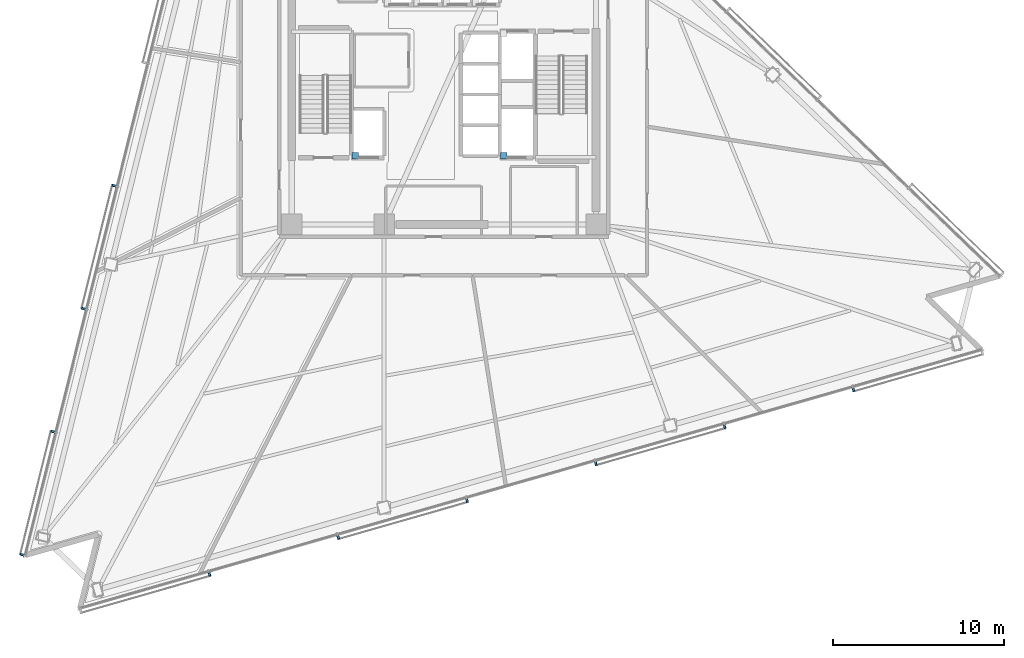
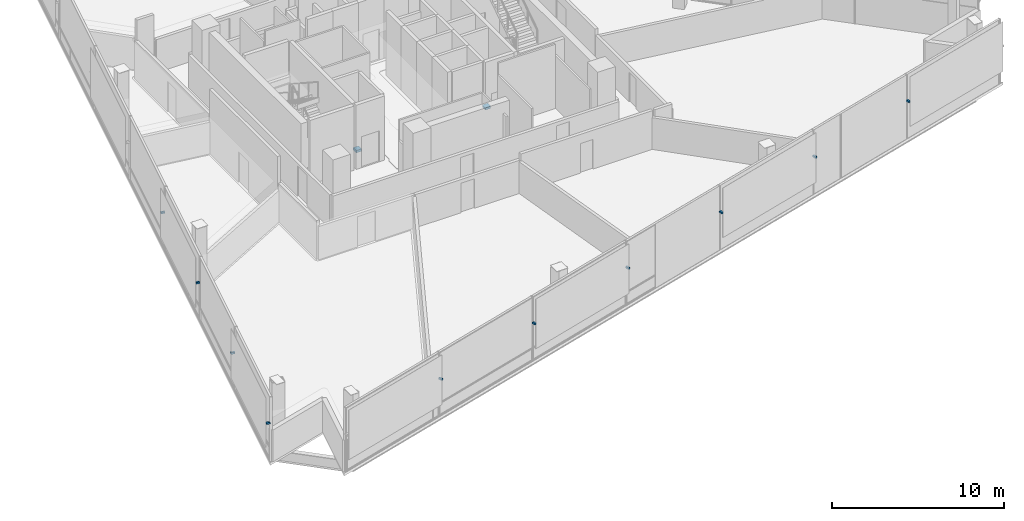
# One storey, part 12 of 18: 12 discrete accessories.
"""IFC4 building model written with IfcOpenShell, lengths in metres."""

from ifc_helpers import new_model, si_unit, direction, frame, origin, origin_2d, place, context, subcontext, project, spatial, rectangle, extrude, material, type_object, element, save


model = new_model("IFC4")

# Units and contexts
model_context = context("Model", 3, precision=1e-05, world=origin(), true_north=direction((0.0, 1.0)))
body_context = subcontext(model_context, "Body", "Model", "MODEL_VIEW")
ifc_project = project(units=[si_unit("LENGTHUNIT", "METRE"), si_unit("AREAUNIT", "SQUARE_METRE"), si_unit("VOLUMEUNIT", "CUBIC_METRE"), si_unit("PLANEANGLEUNIT", "RADIAN"), si_unit("MASSUNIT", "GRAM", prefix="KILO")], contexts=[model_context])

# Site, building, storey
site_placement = place(None, origin())
site = spatial("IfcSite", under=ifc_project, at=site_placement, CompositionType="ELEMENT")
building_placement = place(site_placement, origin())
building = spatial("IfcBuilding", under=site, at=building_placement, Name="Tharavind Bronze Gate", CompositionType="ELEMENT")
storey_placement = place(building_placement, frame((0.0, 0.0, 107.699951171875)))
storey = spatial("IfcBuildingStorey", under=building, at=storey_placement, Name="L27", CompositionType="ELEMENT", Elevation=107.699951171875)

# Discrete accessories
ifc_material_1 = material(Name="Galvanised Steel S355", Category="steel")
discrete_accessory_type_1 = type_object("IfcDiscreteAccessoryType", Name="LIFT GUIDE RAIL BRACKET", PredefinedType="BRACKET", material=ifc_material_1)
for number, where, z_axis, x_axis, name in (
    (1, (-5.179931640625, -3.580078125, 1.1201171875), (0.0, 0.0, 1.0), (1.0, 0.0, 0.0), "Lift FFL1 guide rail bracket at L27"),
    (2, (3.5, -3.580078125, 1.1201171875), (0.0, 0.0, 1.0), (1.0, 0.0, 0.0), "Lift SVL1 guide rail bracket at L27"),
):
    element("IfcDiscreteAccessory", number, at=place(storey_placement, frame(where, z_axis=z_axis, x_axis=x_axis)), inside=storey, type_object=discrete_accessory_type_1, Name=name, PredefinedType="BRACKET", context=body_context, shape_type="SweptSolid", body=[
        extrude(rectangle(XDim=0.360107421875, YDim=0.360107421875, at=origin_2d()), origin(), (0.0, 0.0, 1.0), 0.159912109375),
    ])
ifc_material_2 = material(Name="Stainless Steel 316", Category="steel")
discrete_accessory_type_2 = type_object("IfcDiscreteAccessoryType", Name="SOLAR SCREEN STANDOFF BRACKET", PredefinedType="BRACKET", material=ifc_material_2)
for number, where, z_axis, x_axis, name in (
    (3, (-19.282958984375, -5.338134765625, 2.669921875), (0.0, 0.0, 1.0), (-0.2419218956, -0.970295726276, 0.0), "CW-L27-S1 solar screen bracket 5.1"),
    (4, (-21.07666015625, -12.531982421875, 2.669921875), (0.0, 0.0, 1.0), (-0.2419218956, -0.970295726276, 0.0), "CW-L27-S1 solar screen bracket 5.2"),
    (5, (-22.870361328125, -19.72607421875, 2.669921875), (0.0, 0.0, 1.0), (-0.2419218956, -0.970295726276, 0.0), "CW-L27-S1 solar screen bracket 7.1"),
    (6, (-24.6640625, -26.920166015625, 2.669921875), (0.0, 0.0, 1.0), (-0.2419218956, -0.970295726276, 0.0), "CW-L27-S1 solar screen bracket 7.2"),
    (7, (-13.71240234375, -28.060546875, 2.669921875), (0.0, 0.0, 1.0), (0.961261695938, 0.275637355817, 0.0), "CW-L27-S2 solar screen bracket 1.2"),
    (8, (-6.178955078125, -25.900390625, 2.669921875), (0.0, 0.0, 1.0), (0.961261695938, 0.275637355817, 0.0), "CW-L27-S2 solar screen bracket 3.1"),
    (9, (1.3544921875, -23.740234375, 2.669921875), (0.0, 0.0, 1.0), (0.961261695938, 0.275637355817, 0.0), "CW-L27-S2 solar screen bracket 3.2"),
    (10, (8.887939453125, -21.580078125, 2.669921875), (0.0, 0.0, 1.0), (0.961261695938, 0.275637355817, 0.0), "CW-L27-S2 solar screen bracket 5.1"),
    (11, (16.42138671875, -19.419921875, 2.669921875), (0.0, 0.0, 1.0), (0.961261695938, 0.275637355817, 0.0), "CW-L27-S2 solar screen bracket 5.2"),
    (12, (23.954833984375, -17.259765625, 2.669921875), (0.0, 0.0, 1.0), (0.961261695938, 0.275637355817, 0.0), "CW-L27-S2 solar screen bracket 7.1"),
):
    element("IfcDiscreteAccessory", number, at=place(storey_placement, frame(where, z_axis=z_axis, x_axis=x_axis)), inside=storey, type_object=discrete_accessory_type_2, Name=name, PredefinedType="BRACKET", context=body_context, shape_type="SweptSolid", body=[
        extrude(rectangle(XDim=0.1201171875, YDim=0.239990234375, at=origin_2d()), origin(), (0.0, 0.0, 1.0), 0.1201171875),
    ])

save(model, "model.ifc")
